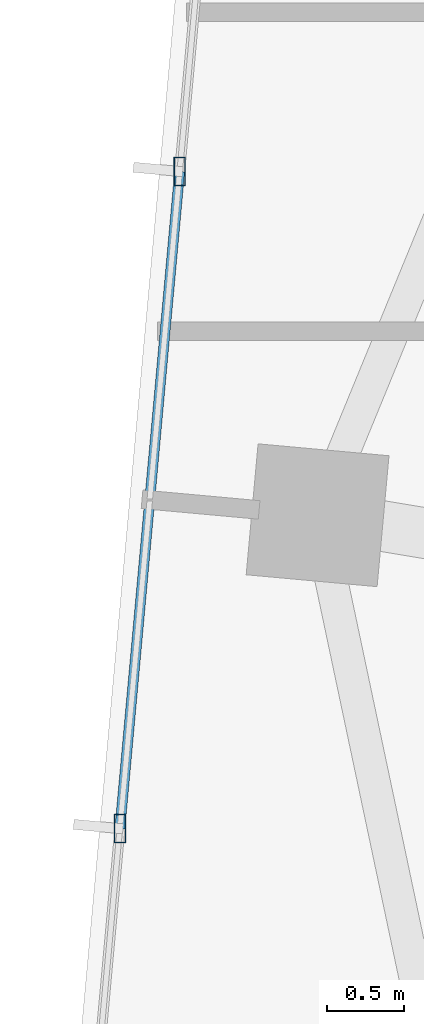
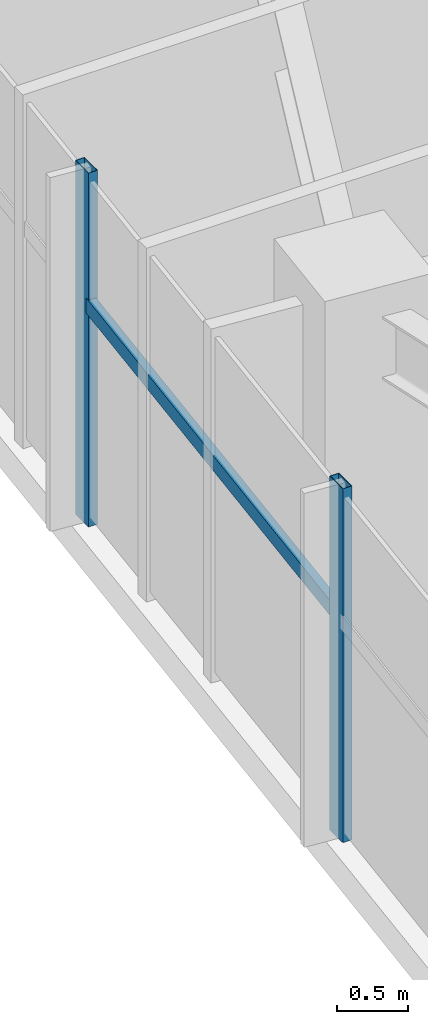
# One storey, part 4 of 22: 3 members, 1 element without a shape of its own.
"""IFC4 building model written with IfcOpenShell, lengths in metres."""

from ifc_helpers import new_model, si_unit, direction, frame, origin, origin_2d, place, context, subcontext, project, spatial, hollow_rectangle, extrude, source, transform, mapped, material, material_profile, profile_set, type_object, type_shapes, element, aggregate, save


model = new_model("IFC4")

# Units and contexts
model_context = context("Model", 3, precision=1e-05, world=origin(), true_north=direction((0.0, 1.0)))
body_context = subcontext(model_context, "Body", "Model", "MODEL_VIEW")
ifc_project = project(units=[si_unit("LENGTHUNIT", "METRE"), si_unit("AREAUNIT", "SQUARE_METRE"), si_unit("VOLUMEUNIT", "CUBIC_METRE"), si_unit("PLANEANGLEUNIT", "RADIAN"), si_unit("MASSUNIT", "GRAM", prefix="KILO")], contexts=[model_context])

# Site, building, storey
site_placement = place(None, origin())
site = spatial("IfcSite", under=ifc_project, at=site_placement, CompositionType="ELEMENT")
building_placement = place(site_placement, origin())
building = spatial("IfcBuilding", under=site, at=building_placement, Name="Astriad Promenade Condominiums", CompositionType="ELEMENT")
storey_placement = place(building_placement, frame((0.0, 0.0, 243.0)))
storey = spatial("IfcBuildingStorey", under=building, at=storey_placement, Name="L70", CompositionType="ELEMENT", Elevation=243.0)

# Curtain wall, members
ifc_material_1 = material(Name="Anodised aluminium Black Dark Glass Unitised", Category="aluminium")
curtain_wall_type = type_object("IfcCurtainWallType", Name="CW-B5-DARK", PredefinedType="USERDEFINED", material=ifc_material_1)
curtain_wall_placement = place(storey_placement, origin())
curtain_wall = element("IfcCurtainWall", 1, at=curtain_wall_placement, inside=storey, type_object=curtain_wall_type, Name="CW-L70-W", ObjectType="UNITISED_CURTAIN_WALL", PredefinedType="USERDEFINED")
ifc_material_2 = material(Name="Anodised aluminium 6063-T6 Black", Category="aluminium")
ifc_material_profile_1 = material_profile(ifc_material_2, hollow_rectangle(XDim=0.06494140625, YDim=0.1298828125, WallThickness=0.00390625, at=origin_2d()), Name="ALU-TRN-65X130")
ifc_profile_set_1 = profile_set([ifc_material_profile_1], Name="Anodised aluminium 6063-T6 Black")
member_type_1 = type_object("IfcMemberType", Name="TRN-ALU-TRN-65X130", PredefinedType="USERDEFINED", material=ifc_profile_set_1)
shared_shape_1 = source(origin(), body_context, "Body", "SweptSolid", [
    extrude(hollow_rectangle(XDim=0.06494140625, YDim=0.1298828125, WallThickness=0.00390625, at=origin_2d()), origin(), (0.0, 0.0, 1.0), 4.266845703125),
])
type_shapes(member_type_1, [shared_shape_1])
member_1_placement = place(storey_placement, frame((9.4326171875, 17.984375, 1.884765625), z_axis=(0.090577018386, 0.995889453574, 0.0), x_axis=(-0.995889453574, 0.090577018386, 0.0)))
member_1 = element("IfcMember", 2, at=member_1_placement, type_object=member_type_1, Name="CW-L70-W-TRN-01-0", ObjectType="TRANSOM", PredefinedType="USERDEFINED", context=body_context, shape_type="MappedRepresentation", body=[
    mapped(shared_shape_1, transform((0.0, 0.0, 0.0), scale=1.0)),
])
ifc_material_profile_2 = material_profile(ifc_material_2, hollow_rectangle(XDim=0.074951171875, YDim=0.18505859375, WallThickness=0.00439453125, at=origin_2d()), Name="ALU-MUL-75X185")
ifc_profile_set_2 = profile_set([ifc_material_profile_2], Name="Anodised aluminium 6063-T6 Black")
member_type_2 = type_object("IfcMemberType", Name="MUL-ALU-MUL-75X185", PredefinedType="MULLION", material=ifc_profile_set_2)
shared_shape_2 = source(origin(), body_context, "Body", "SweptSolid", [
    extrude(hollow_rectangle(XDim=0.074951171875, YDim=0.18505859375, WallThickness=0.00439453125, at=origin_2d()), origin(), (0.0, 0.0, 1.0), 3.0400390625),
])
type_shapes(member_type_2, [shared_shape_2])
member_2_placement = place(storey_placement, frame((9.4326171875, 17.984375, 0.0), z_axis=(0.0, 0.0, 1.0), x_axis=(1.0, 0.0, 0.0)))
member_2 = element("IfcMember", 3, at=member_2_placement, type_object=member_type_2, Name="CW-L70-W-MUL-01", PredefinedType="MULLION", context=body_context, shape_type="MappedRepresentation", body=[
    mapped(shared_shape_2, transform((0.0, 0.0, 0.0), scale=1.0)),
])
member_3_placement = place(storey_placement, frame((9.819091796875, 22.233642578125, 0.0), z_axis=(0.0, 0.0, 1.0), x_axis=(1.0, 0.0, 0.0)))
member_3 = element("IfcMember", 4, at=member_3_placement, type_object=member_type_2, Name="CW-L70-W-MUL-02", PredefinedType="MULLION", context=body_context, shape_type="MappedRepresentation", body=[
    mapped(shared_shape_2, transform((0.0, 0.0, 0.0), scale=1.0)),
])
aggregate(curtain_wall, [member_2, member_3, member_1])

save(model, "model.ifc")
